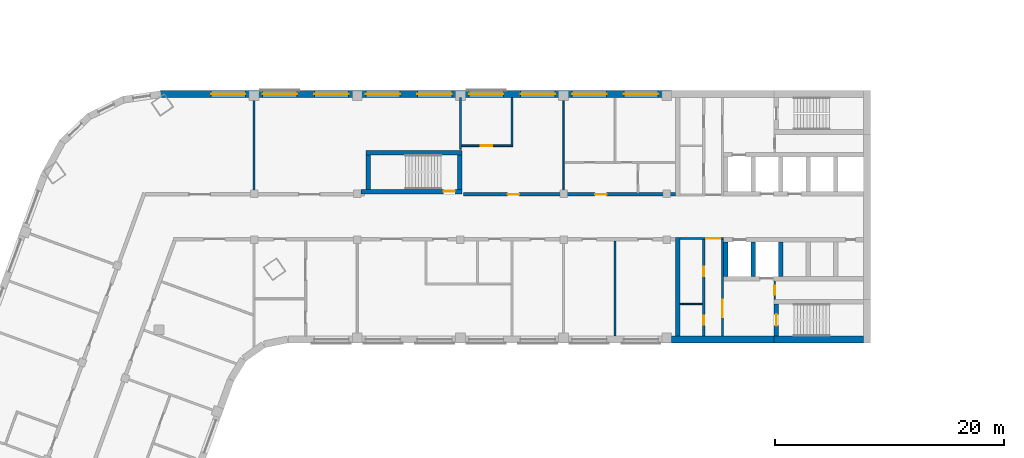
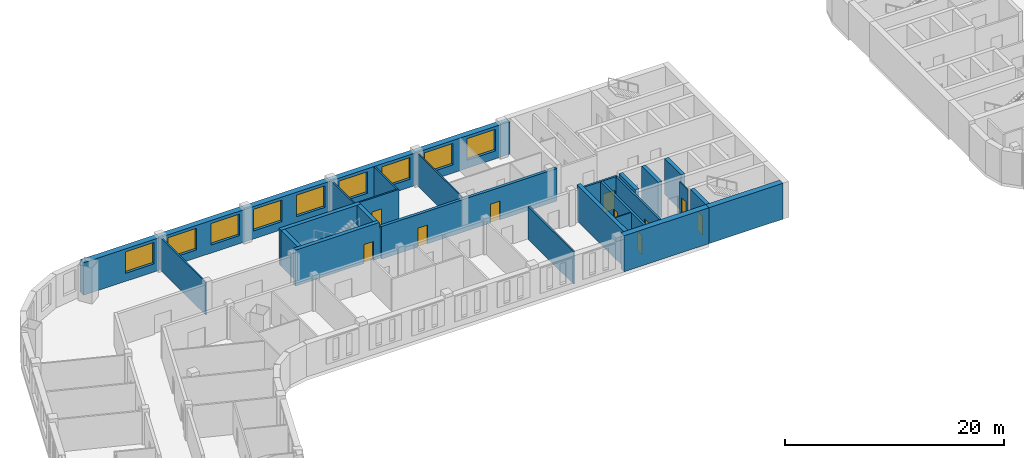
# One storey, part 5 of 14: 24 walls, 10 doors, 9 windows, 19 openings.
"""IFC4 building model written with IfcOpenShell, lengths in metres."""

from ifc_helpers import new_model, si_unit, direction, frame, frame_2d, origin, place, context, subcontext, project, spatial, rectangle, extrude, material, layer, layer_set, type_object, element, fill, save


model = new_model("IFC4")

# Units and contexts
model_context = context("Model", 3, precision=1e-05, world=origin(), true_north=direction((0.0, 1.0)))
body_context = subcontext(model_context, "Body", "Model", "MODEL_VIEW")
ifc_project = project(units=[si_unit("LENGTHUNIT", "METRE"), si_unit("AREAUNIT", "SQUARE_METRE"), si_unit("VOLUMEUNIT", "CUBIC_METRE"), si_unit("PLANEANGLEUNIT", "RADIAN"), si_unit("MASSUNIT", "GRAM", prefix="KILO")], contexts=[model_context])

# Site, building, storey
site_placement = place(None, origin())
site = spatial("IfcSite", under=ifc_project, at=site_placement, CompositionType="ELEMENT")
building_placement = place(site_placement, origin())
building = spatial("IfcBuilding", under=site, at=building_placement, Name="Skarvind Civic Tower", CompositionType="ELEMENT")
storey_placement = place(building_placement, frame((0.0, 0.0, 89.0)))
storey = spatial("IfcBuildingStorey", under=building, at=storey_placement, Name="L20", CompositionType="ELEMENT", Elevation=89.0)

# Wall
ifc_material_1 = material(Name="Acoustic gypsum board on steel studs", Category="steel")
ifc_layer_1 = layer(ifc_material_1, 0.175048828125)
ifc_layer_set_1 = layer_set([ifc_layer_1], Name="ACOUSTIC MEETING-ROOM PARTITION 175")
wall_type_1 = type_object("IfcWallType", Name="ACOUSTIC MEETING-ROOM PARTITION 175", PredefinedType="PARTITIONING", material=ifc_layer_set_1)
wall_1_placement = place(storey_placement, frame((85.75, 117.60009765625, 0.0), z_axis=(0.0, 0.0, 1.0), x_axis=(0.0, 1.0, 0.0)))
element("IfcWall", 1, at=wall_1_placement, inside=storey, type_object=wall_type_1, Name="Partition 20.035", PredefinedType="PARTITIONING", context=body_context, shape_type="SweptSolid", body=[
    extrude(rectangle(XDim=8.2998046875, YDim=0.175048828125, at=frame_2d((4.14990234375, 0.0))), origin(), (0.0, 0.0, 1.0), 3.625),
])

# Wall, openings, doors
ifc_material_2 = material(Name="Fire-rated gypsum board on steel studs", Category="steel")
ifc_layer_2 = layer(ifc_material_2, 0.300048828125)
ifc_layer_set_2 = layer_set([ifc_layer_2], Name="CORRIDOR WALL 300")
wall_type_2 = type_object("IfcWallType", Name="CORRIDOR WALL 300", PredefinedType="PARTITIONING", material=ifc_layer_set_2)
wall_2_placement = place(storey_placement, frame((72.5, 129.949951171875, 0.0), z_axis=(0.0, 0.0, 1.0), x_axis=(1.0, 0.0, 0.0)))
wall_2 = element("IfcWall", 2, at=wall_2_placement, inside=storey, type_object=wall_type_2, Name="Partition 20.026", PredefinedType="PARTITIONING", context=body_context, shape_type="SweptSolid", body=[
    extrude(rectangle(XDim=18.5, YDim=0.300048828125, at=frame_2d((9.25, 0.0))), origin(), (0.0, 0.0, 1.0), 3.625),
])
opening_1_placement = place(wall_2_placement, frame((11.5, 0.0, 0.0)))
opening_1 = element("IfcOpeningElement", 3, at=opening_1_placement, cuts=wall_2, Name="Opening L20-D001", PredefinedType="OPENING", context=body_context, shape_type="SweptSolid", body=[
    extrude(rectangle(XDim=1.0, YDim=2.10009765625, at=frame_2d((0.5, 1.050048828125))), frame((0.0, 0.159912109375, 0.0), z_axis=(0.0, -1.0, 0.0), x_axis=(1.0, 0.0, 0.0)), (0.0, 0.0, 1.0), 0.320068359375),
])
opening_2_placement = place(wall_2_placement, frame((3.875, 0.0, 0.0)))
opening_2 = element("IfcOpeningElement", 4, at=opening_2_placement, cuts=wall_2, Name="Opening L20-D006", PredefinedType="OPENING", context=body_context, shape_type="SweptSolid", body=[
    extrude(rectangle(XDim=1.0, YDim=2.10009765625, at=frame_2d((0.5, 1.050048828125))), frame((0.0, 0.159912109375, 0.0), z_axis=(0.0, -1.0, 0.0), x_axis=(1.0, 0.0, 0.0)), (0.0, 0.0, 1.0), 0.320068359375),
])
ifc_material_3 = material(Name="Fire-rated timber door leaf", Category="wood")
door_type_1 = type_object("IfcDoorType", Name="FD1 1000x2100", OperationType="NOTDEFINED", PredefinedType="DOOR", material=ifc_material_3)
door_1_placement = place(opening_1_placement, origin())
door_1 = element("IfcDoor", 5, at=door_1_placement, inside=storey, type_object=door_type_1, Name="Door L20-D001", OperationType="SINGLE_SWING_LEFT", OverallHeight=2.10009765625, OverallWidth=1.0, PredefinedType="DOOR", context=body_context, shape_type="SweptSolid", body=[
    extrude(rectangle(XDim=1.0, YDim=2.10009765625, at=frame_2d((0.5, 1.050048828125))), frame((0.0, 0.02490234375, 0.0), z_axis=(0.0, -1.0, 0.0), x_axis=(1.0, 0.0, 0.0)), (0.0, 0.0, 1.0), 0.050048828125),
])
fill(opening_1, door_1)
door_2_placement = place(opening_2_placement, origin())
door_2 = element("IfcDoor", 6, at=door_2_placement, inside=storey, type_object=door_type_1, Name="Door L20-D006", OperationType="SINGLE_SWING_LEFT", OverallHeight=2.10009765625, OverallWidth=1.0, PredefinedType="DOOR", context=body_context, shape_type="SweptSolid", body=[
    extrude(rectangle(XDim=1.0, YDim=2.10009765625, at=frame_2d((0.5, 1.050048828125))), frame((0.0, 0.02490234375, 0.0), z_axis=(0.0, -1.0, 0.0), x_axis=(1.0, 0.0, 0.0)), (0.0, 0.0, 1.0), 0.050048828125),
])
fill(opening_2, door_2)

# Wall, opening, door
ifc_material_4 = material(Name="Fire-rated masonry partition", Category="masonry")
ifc_layer_3 = layer(ifc_material_4, 0.199951171875)
ifc_layer_set_3 = layer_set([ifc_layer_3], Name="Core enclosure wall 200")
wall_type_3 = type_object("IfcWallType", Name="Core enclosure wall 200", PredefinedType="PARTITIONING", material=ifc_layer_set_3)
wall_3_placement = place(storey_placement, frame((95.199951171875, 126.10009765625, 0.0), z_axis=(0.0, 0.0, 1.0), x_axis=(-1.0, 0.0, 0.0)))
wall_3 = element("IfcWall", 7, at=wall_3_placement, inside=storey, type_object=wall_type_3, Name="Core wall C1", PredefinedType="PARTITIONING", context=body_context, shape_type="SweptSolid", body=[
    extrude(rectangle(XDim=3.800048828125, YDim=0.199951171875, at=frame_2d((1.89990234375, 0.0))), origin(), (0.0, 0.0, 1.0), 3.625),
])
opening_3_placement = place(wall_3_placement, frame((0.300048828125, 0.0, 0.0)))
opening_3 = element("IfcOpeningElement", 8, at=opening_3_placement, cuts=wall_3, Name="Opening D-L20-C1-05", PredefinedType="OPENING", context=body_context, shape_type="SweptSolid", body=[
    extrude(rectangle(XDim=1.199951171875, YDim=2.10009765625, at=frame_2d((0.60009765625, 1.050048828125))), frame((0.0, 0.10986328125, 0.0), z_axis=(0.0, -1.0, 0.0), x_axis=(1.0, 0.0, 0.0)), (0.0, 0.0, 1.0), 0.219970703125),
])
ifc_material_5 = material(Name="Fire-rated steel door", Category="steel")
door_type_2 = type_object("IfcDoorType", Name="Core lobby door 1200", OperationType="NOTDEFINED", PredefinedType="DOOR", material=ifc_material_5)
door_3_placement = place(opening_3_placement, origin())
door_3 = element("IfcDoor", 9, at=door_3_placement, inside=storey, type_object=door_type_2, Name="Fire door", OperationType="DOUBLE_DOOR_SINGLE_SWING", OverallHeight=2.10009765625, OverallWidth=1.199951171875, PredefinedType="DOOR", context=body_context, shape_type="SweptSolid", body=[
    extrude(rectangle(XDim=1.199951171875, YDim=2.10009765625, at=frame_2d((0.60009765625, 1.050048828125))), frame((0.0, 0.02490234375, 0.0), z_axis=(0.0, -1.0, 0.0), x_axis=(1.0, 0.0, 0.0)), (0.0, 0.0, 1.0), 0.050048828125),
])
fill(opening_3, door_3)

wall_4_placement = place(storey_placement, frame((95.10009765625, 117.60009765625, 0.0), z_axis=(0.0, 0.0, 1.0), x_axis=(0.0, 1.0, 0.0)))
wall_4 = element("IfcWall", 10, at=wall_4_placement, inside=storey, type_object=wall_type_3, Name="Core wall C1", PredefinedType="PARTITIONING", context=body_context, shape_type="SweptSolid", body=[
    extrude(rectangle(XDim=8.39990234375, YDim=0.199951171875, at=frame_2d((4.199951171875, 0.0))), origin(), (0.0, 0.0, 1.0), 3.625),
])
opening_4_placement = place(wall_4_placement, frame((1.64990234375, 0.0, 0.0)))
opening_4 = element("IfcOpeningElement", 11, at=opening_4_placement, cuts=wall_4, Name="Opening D-L20-C1-06", PredefinedType="OPENING", context=body_context, shape_type="SweptSolid", body=[
    extrude(rectangle(XDim=1.5, YDim=2.10009765625, at=frame_2d((0.75, 1.050048828125))), frame((0.0, 0.10986328125, 0.0), z_axis=(0.0, -1.0, 0.0), x_axis=(1.0, 0.0, 0.0)), (0.0, 0.0, 1.0), 0.219970703125),
])
door_type_3 = type_object("IfcDoorType", Name="Fire door 1500", OperationType="NOTDEFINED", PredefinedType="DOOR", material=ifc_material_5)
door_4_placement = place(opening_4_placement, origin())
door_4 = element("IfcDoor", 12, at=door_4_placement, inside=storey, type_object=door_type_3, Name="Fire door", OperationType="DOUBLE_DOOR_SINGLE_SWING", OverallHeight=2.10009765625, OverallWidth=1.5, PredefinedType="DOOR", context=body_context, shape_type="SweptSolid", body=[
    extrude(rectangle(XDim=1.5, YDim=2.10009765625, at=frame_2d((0.75, 1.050048828125))), frame((0.0, 0.02490234375, 0.0), z_axis=(0.0, -1.0, 0.0), x_axis=(1.0, 0.0, 0.0)), (0.0, 0.0, 1.0), 0.050048828125),
])
fill(opening_4, door_4)

# Wall
ifc_material_6 = material(Name="Fire-rated plasterboard partition")
ifc_layer_4 = layer(ifc_material_6, 0.10009765625)
ifc_layer_set_4 = layer_set([ifc_layer_4], Name="Core partition wall 100")
wall_type_4 = type_object("IfcWallType", Name="Core partition wall 100", PredefinedType="PARTITIONING", material=ifc_layer_set_4)
wall_5_placement = place(storey_placement, frame((93.35009765625, 120.39990234375, 0.0), z_axis=(0.0, 0.0, 1.0), x_axis=(-1.0, 0.0, 0.0)))
element("IfcWall", 13, at=wall_5_placement, inside=storey, type_object=wall_type_4, Name="Core wall C1", PredefinedType="PARTITIONING", context=body_context, shape_type="SweptSolid", body=[
    extrude(rectangle(XDim=1.9501953125, YDim=0.10009765625, at=frame_2d((0.97509765625, 0.0))), origin(), (0.0, 0.0, 1.0), 3.625),
])

# Wall, opening, door
ifc_material_7 = material(Name="Concrete C80", Category="concrete")
ifc_layer_5 = layer(ifc_material_7, 0.39990234375)
ifc_layer_set_5 = layer_set([ifc_layer_5], Name="Core wall 400 C80")
wall_type_5 = type_object("IfcWallType", Name="Core wall 400 C80", PredefinedType="SHEAR", material=ifc_layer_set_5)
wall_6_placement = place(storey_placement, frame((99.800048828125, 120.39990234375, 0.0), z_axis=(0.0, 0.0, 1.0), x_axis=(0.0, -1.0, 0.0)))
wall_6 = element("IfcWall", 14, at=wall_6_placement, inside=storey, type_object=wall_type_5, Name="Core wall C1 north stair end L20", PredefinedType="SHEAR", context=body_context, shape_type="SweptSolid", body=[
    extrude(rectangle(XDim=2.7998046875, YDim=0.39990234375, at=frame_2d((1.39990234375, 0.0))), origin(), (0.0, 0.0, 1.0), 4.0),
])
opening_5_placement = place(wall_6_placement, frame((0.89990234375, 0.0, 0.0)))
opening_5 = element("IfcOpeningElement", 15, at=opening_5_placement, cuts=wall_6, Name="Opening D-L20-C1-07", PredefinedType="OPENING", context=body_context, shape_type="SweptSolid", body=[
    extrude(rectangle(XDim=1.0, YDim=2.10009765625, at=frame_2d((0.5, 1.050048828125))), frame((0.0, 0.2099609375, 0.0), z_axis=(0.0, -1.0, 0.0), x_axis=(1.0, 0.0, 0.0)), (0.0, 0.0, 1.0), 0.419921875),
])
door_type_4 = type_object("IfcDoorType", Name="Fire door 1000", OperationType="NOTDEFINED", PredefinedType="DOOR", material=ifc_material_5)
door_5_placement = place(opening_5_placement, origin())
door_5 = element("IfcDoor", 16, at=door_5_placement, inside=storey, type_object=door_type_4, Name="Fire door", OperationType="SINGLE_SWING_LEFT", OverallHeight=2.10009765625, OverallWidth=1.0, PredefinedType="DOOR", context=body_context, shape_type="SweptSolid", body=[
    extrude(rectangle(XDim=1.0, YDim=2.10009765625, at=frame_2d((0.5, 1.050048828125))), frame((0.0, 0.02490234375, 0.0), z_axis=(0.0, -1.0, 0.0), x_axis=(1.0, 0.0, 0.0)), (0.0, 0.0, 1.0), 0.050048828125),
])
fill(opening_5, door_5)

# Walls
for number, where, z_axis, x_axis, name in (
    (17, (100.199951171875, 125.800048828125, 0.0), (0.0, 0.0, 1.0), (0.0, -1.0, 0.0), "Core wall C1 north lift row division 3 L20"),
    (18, (97.800048828125, 125.800048828125, 0.0), (0.0, 0.0, 1.0), (0.0, -1.0, 0.0), "Core wall C1 north lift row division 4 L20"),
    (19, (95.39990234375, 125.800048828125, 0.0), (0.0, 0.0, 1.0), (0.0, -1.0, 0.0), "Core wall C1 north lift row division 5 L20"),
):
    element("IfcWall", number, at=place(storey_placement, frame(where, z_axis=z_axis, x_axis=x_axis)), inside=storey, type_object=wall_type_5, Name=name, PredefinedType="SHEAR", context=body_context, shape_type="SweptSolid", body=[
        extrude(rectangle(XDim=3.0, YDim=0.39990234375, at=frame_2d((1.5, 0.0))), origin(), (0.0, 0.0, 1.0), 4.0),
    ])
wall_7_placement = place(storey_placement, frame((91.199951171875, 126.199951171875, 0.0), z_axis=(0.0, 0.0, 1.0), x_axis=(0.0, -1.0, 0.0)))
element("IfcWall", 20, at=wall_7_placement, inside=storey, type_object=wall_type_5, Name="Core wall C1 north inner face L20", PredefinedType="SHEAR", context=body_context, shape_type="SweptSolid", body=[
    extrude(rectangle(XDim=8.599853515625, YDim=0.39990234375, at=frame_2d((4.2998046875, 0.0))), origin(), (0.0, 0.0, 1.0), 4.0),
])

# Wall, opening, door
wall_8_placement = place(storey_placement, frame((63.574951171875, 130.199951171875, 0.0), z_axis=(0.0, 0.0, 1.0), x_axis=(1.0, 0.0, 0.0)))
wall_8 = element("IfcWall", 21, at=wall_8_placement, inside=storey, type_object=wall_type_5, Name="Core wall CM inner L20", PredefinedType="SHEAR", context=body_context, shape_type="SweptSolid", body=[
    extrude(rectangle(XDim=8.824951171875, YDim=0.39990234375, at=frame_2d((4.41259765625, 0.0))), origin(), (0.0, 0.0, 1.0), 4.0),
])
opening_6_placement = place(wall_8_placement, frame((7.199951171875, 0.0, 0.0)))
opening_6 = element("IfcOpeningElement", 22, at=opening_6_placement, cuts=wall_8, Name="Opening D-L20-CM-01", PredefinedType="OPENING", context=body_context, shape_type="SweptSolid", body=[
    extrude(rectangle(XDim=1.0, YDim=2.10009765625, at=frame_2d((0.5, 1.050048828125))), frame((0.0, 0.2099609375, 0.0), z_axis=(0.0, -1.0, 0.0), x_axis=(1.0, 0.0, 0.0)), (0.0, 0.0, 1.0), 0.419921875),
])
door_6_placement = place(opening_6_placement, origin())
door_6 = element("IfcDoor", 23, at=door_6_placement, inside=storey, type_object=door_type_4, Name="Fire door", OperationType="SINGLE_SWING_LEFT", OverallHeight=2.10009765625, OverallWidth=1.0, PredefinedType="DOOR", context=body_context, shape_type="SweptSolid", body=[
    extrude(rectangle(XDim=1.0, YDim=2.10009765625, at=frame_2d((0.5, 1.050048828125))), frame((0.0, 0.02490234375, 0.0), z_axis=(0.0, -1.0, 0.0), x_axis=(1.0, 0.0, 0.0)), (0.0, 0.0, 1.0), 0.050048828125),
])
fill(opening_6, door_6)

# Walls
wall_9_placement = place(storey_placement, frame((64.0, 133.60009765625, 0.0), z_axis=(0.0, 0.0, 1.0), x_axis=(1.0, 0.0, 0.0)))
element("IfcWall", 24, at=wall_9_placement, inside=storey, type_object=wall_type_5, Name="Core wall CM outer L20", PredefinedType="SHEAR", context=body_context, shape_type="SweptSolid", body=[
    extrude(rectangle(XDim=8.39990234375, YDim=0.39990234375, at=frame_2d((4.199951171875, 0.0))), origin(), (0.0, 0.0, 1.0), 4.0),
])
for number, where, z_axis, x_axis, name in (
    (25, (64.199951171875, 130.39990234375, 0.0), (0.0, 0.0, 1.0), (0.0, 1.0, 0.0), "Core wall CM west L20"),
    (26, (72.199951171875, 130.39990234375, 0.0), (0.0, 0.0, 1.0), (0.0, 1.0, 0.0), "Core wall CM end L20"),
):
    element("IfcWall", number, at=place(storey_placement, frame(where, z_axis=z_axis, x_axis=x_axis)), inside=storey, type_object=wall_type_5, Name=name, PredefinedType="SHEAR", context=body_context, shape_type="SweptSolid", body=[
        extrude(rectangle(XDim=3.0, YDim=0.39990234375, at=frame_2d((1.5, 0.0))), origin(), (0.0, 0.0, 1.0), 4.0),
    ])
ifc_layer_6 = layer(ifc_material_7, 0.60009765625)
ifc_layer_set_6 = layer_set([ifc_layer_6], Name="Core wall 600 C80")
wall_type_6 = type_object("IfcWallType", Name="Core wall 600 C80", PredefinedType="SHEAR", material=ifc_layer_set_6)
wall_10_placement = place(storey_placement, frame((107.39990234375, 117.300048828125, 0.0), z_axis=(0.0, 0.0, 1.0), x_axis=(-1.0, 0.0, 0.0)))
element("IfcWall", 27, at=wall_10_placement, inside=storey, type_object=wall_type_6, Name="Core wall C1 north side at the stair L20", PredefinedType="SHEAR", context=body_context, shape_type="SweptSolid", body=[
    extrude(rectangle(XDim=7.7998046875, YDim=0.60009765625, at=frame_2d((3.89990234375, 0.0))), origin(), (0.0, 0.0, 1.0), 4.0),
])
wall_11_placement = place(storey_placement, frame((99.60009765625, 117.300048828125, 0.0), z_axis=(0.0, 0.0, 1.0), x_axis=(-1.0, 0.0, 0.0)))
element("IfcWall", 28, at=wall_11_placement, inside=storey, type_object=wall_type_6, Name="Core wall C1 north side L20", PredefinedType="SHEAR", context=body_context, shape_type="SweptSolid", body=[
    extrude(rectangle(XDim=8.925048828125, YDim=0.60009765625, at=frame_2d((4.46240234375, 0.0))), origin(), (0.0, 0.0, 1.0), 4.0),
])
ifc_material_8 = material(Name="Plasterboard partition on steel studs", Category="steel")
ifc_layer_7 = layer(ifc_material_8, 0.14990234375)
ifc_layer_set_7 = layer_set([ifc_layer_7], Name="PARTITION 150")
wall_type_7 = type_object("IfcWallType", Name="PARTITION 150", PredefinedType="PARTITIONING", material=ifc_layer_set_7)
wall_12_placement = place(storey_placement, frame((54.25, 138.39990234375, 0.0), z_axis=(0.0, 0.0, 1.0), x_axis=(0.0, -1.0, 0.0)))
element("IfcWall", 29, at=wall_12_placement, inside=storey, type_object=wall_type_7, Name="Partition 20.020", PredefinedType="PARTITIONING", context=body_context, shape_type="SweptSolid", body=[
    extrude(rectangle(XDim=8.2998046875, YDim=0.14990234375, at=frame_2d((4.14990234375, 0.0))), origin(), (0.0, 0.0, 1.0), 3.625),
])
wall_13_placement = place(storey_placement, frame((72.25, 133.89990234375, 0.0), z_axis=(0.0, 0.0, 1.0), x_axis=(0.0, 1.0, 0.0)))
element("IfcWall", 30, at=wall_13_placement, inside=storey, type_object=wall_type_7, Name="Partition 20.024", PredefinedType="PARTITIONING", context=body_context, shape_type="SweptSolid", body=[
    extrude(rectangle(XDim=4.5, YDim=0.14990234375, at=frame_2d((2.25, 0.0))), origin(), (0.0, 0.0, 1.0), 3.625),
])

# Wall, opening, door
wall_14_placement = place(storey_placement, frame((76.824951171875, 134.199951171875, 0.0), z_axis=(0.0, 0.0, 1.0), x_axis=(-1.0, 0.0, 0.0)))
wall_14 = element("IfcWall", 31, at=wall_14_placement, inside=storey, type_object=wall_type_7, Name="Partition 20.025", PredefinedType="PARTITIONING", context=body_context, shape_type="SweptSolid", body=[
    extrude(rectangle(XDim=4.5, YDim=0.14990234375, at=frame_2d((2.25, 0.0))), origin(), (0.0, 0.0, 1.0), 3.625),
])
opening_7_placement = place(wall_14_placement, frame((1.797607421875, 0.0, 0.0)))
opening_7 = element("IfcOpeningElement", 32, at=opening_7_placement, cuts=wall_14, Name="Opening L20-D005", PredefinedType="OPENING", context=body_context, shape_type="SweptSolid", body=[
    extrude(rectangle(XDim=1.0, YDim=2.10009765625, at=frame_2d((0.5, 1.050048828125))), frame((0.0, 0.0849609375, 0.0), z_axis=(0.0, -1.0, 0.0), x_axis=(1.0, 0.0, 0.0)), (0.0, 0.0, 1.0), 0.169921875),
])
ifc_material_9 = material(Name="Timber door leaf", Category="wood")
door_type_5 = type_object("IfcDoorType", Name="D1 1000x2100", OperationType="NOTDEFINED", PredefinedType="DOOR", material=ifc_material_9)
door_7_placement = place(opening_7_placement, origin())
door_7 = element("IfcDoor", 33, at=door_7_placement, inside=storey, type_object=door_type_5, Name="Door L20-D005", OperationType="SINGLE_SWING_LEFT", OverallHeight=2.10009765625, OverallWidth=1.0, PredefinedType="DOOR", context=body_context, shape_type="SweptSolid", body=[
    extrude(rectangle(XDim=1.0, YDim=2.10009765625, at=frame_2d((0.5, 1.050048828125))), frame((0.0, 0.02490234375, 0.0), z_axis=(0.0, -1.0, 0.0), x_axis=(1.0, 0.0, 0.0)), (0.0, 0.0, 1.0), 0.050048828125),
])
fill(opening_7, door_7)

# Wall
wall_15_placement = place(storey_placement, frame((76.75, 134.27490234375, 0.0), z_axis=(0.0, 0.0, 1.0), x_axis=(0.0, 1.0, 0.0)))
element("IfcWall", 34, at=wall_15_placement, inside=storey, type_object=wall_type_7, Name="Partition 20.031", PredefinedType="PARTITIONING", context=body_context, shape_type="SweptSolid", body=[
    extrude(rectangle(XDim=4.125, YDim=0.14990234375, at=frame_2d((2.0625, 0.0))), origin(), (0.0, 0.0, 1.0), 3.625),
])

# Wall, opening, door
ifc_layer_8 = layer(ifc_material_4, 0.125)
ifc_layer_set_8 = layer_set([ifc_layer_8], Name="Riser wall 125")
wall_type_8 = type_object("IfcWallType", Name="Riser wall 125", PredefinedType="PARTITIONING", material=ifc_layer_set_8)
wall_16_placement = place(storey_placement, frame((99.66259765625, 120.800048828125, 0.0), z_axis=(0.0, 0.0, 1.0), x_axis=(0.0, 1.0, 0.0)))
wall_16 = element("IfcWall", 35, at=wall_16_placement, inside=storey, type_object=wall_type_8, Name="Core wall C1", PredefinedType="PARTITIONING", context=body_context, shape_type="SweptSolid", body=[
    extrude(rectangle(XDim=1.599853515625, YDim=0.125, at=frame_2d((0.7998046875, 0.0))), origin(), (0.0, 0.0, 1.0), 3.625),
])
opening_8_placement = place(wall_16_placement, frame((0.39990234375, 0.0, 0.0)))
opening_8 = element("IfcOpeningElement", 36, at=opening_8_placement, cuts=wall_16, Name="Opening D-L20-C1-08", PredefinedType="OPENING", context=body_context, shape_type="SweptSolid", body=[
    extrude(rectangle(XDim=0.800048828125, YDim=2.10009765625, at=frame_2d((0.39990234375, 1.050048828125))), frame((0.0, 0.072509765625, 0.0), z_axis=(0.0, -1.0, 0.0), x_axis=(1.0, 0.0, 0.0)), (0.0, 0.0, 1.0), 0.14501953125),
])
door_type_6 = type_object("IfcDoorType", Name="Core riser door 800", OperationType="NOTDEFINED", PredefinedType="DOOR", material=ifc_material_5)
door_8_placement = place(opening_8_placement, origin())
door_8 = element("IfcDoor", 37, at=door_8_placement, inside=storey, type_object=door_type_6, Name="Riser door", OperationType="SINGLE_SWING_RIGHT", OverallHeight=2.10009765625, OverallWidth=0.800048828125, PredefinedType="DOOR", context=body_context, shape_type="SweptSolid", body=[
    extrude(rectangle(XDim=0.800048828125, YDim=2.10009765625, at=frame_2d((0.39990234375, 1.050048828125))), frame((0.0, 0.02490234375, 0.0), z_axis=(0.0, -1.0, 0.0), x_axis=(1.0, 0.0, 0.0)), (0.0, 0.0, 1.0), 0.050048828125),
])
fill(opening_8, door_8)

# Wall, openings, doors
ifc_layer_9 = layer(ifc_material_4, 0.25)
ifc_layer_set_9 = layer_set([ifc_layer_9], Name="Service block wall 250")
wall_type_9 = type_object("IfcWallType", Name="Service block wall 250", PredefinedType="PARTITIONING", material=ifc_layer_set_9)
wall_17_placement = place(storey_placement, frame((93.47509765625, 117.60009765625, 0.0), z_axis=(0.0, 0.0, 1.0), x_axis=(0.0, 1.0, 0.0)))
wall_17 = element("IfcWall", 38, at=wall_17_placement, inside=storey, type_object=wall_type_9, Name="Core wall C1", PredefinedType="PARTITIONING", context=body_context, shape_type="SweptSolid", body=[
    extrude(rectangle(XDim=8.39990234375, YDim=0.25, at=frame_2d((4.199951171875, 0.0))), origin(), (0.0, 0.0, 1.0), 3.625),
])
opening_9_placement = place(wall_17_placement, frame((5.22509765625, 0.0, 0.0)))
opening_9 = element("IfcOpeningElement", 39, at=opening_9_placement, cuts=wall_17, Name="Opening D-L20-C1-09", PredefinedType="OPENING", context=body_context, shape_type="SweptSolid", body=[
    extrude(rectangle(XDim=0.800048828125, YDim=2.10009765625, at=frame_2d((0.39990234375, 1.050048828125))), frame((0.0, 0.135009765625, 0.0), z_axis=(0.0, -1.0, 0.0), x_axis=(1.0, 0.0, 0.0)), (0.0, 0.0, 1.0), 0.27001953125),
])
opening_10_placement = place(wall_17_placement, frame((0.97509765625, 0.0, 0.0)))
opening_10 = element("IfcOpeningElement", 40, at=opening_10_placement, cuts=wall_17, Name="Opening D-L20-C1-10", PredefinedType="OPENING", context=body_context, shape_type="SweptSolid", body=[
    extrude(rectangle(XDim=0.800048828125, YDim=2.10009765625, at=frame_2d((0.39990234375, 1.050048828125))), frame((0.0, 0.135009765625, 0.0), z_axis=(0.0, -1.0, 0.0), x_axis=(1.0, 0.0, 0.0)), (0.0, 0.0, 1.0), 0.27001953125),
])
door_9_placement = place(opening_9_placement, origin())
door_9 = element("IfcDoor", 41, at=door_9_placement, inside=storey, type_object=door_type_6, Name="Riser door", OperationType="SINGLE_SWING_LEFT", OverallHeight=2.10009765625, OverallWidth=0.800048828125, PredefinedType="DOOR", context=body_context, shape_type="SweptSolid", body=[
    extrude(rectangle(XDim=0.800048828125, YDim=2.10009765625, at=frame_2d((0.39990234375, 1.050048828125))), frame((0.0, 0.02490234375, 0.0), z_axis=(0.0, -1.0, 0.0), x_axis=(1.0, 0.0, 0.0)), (0.0, 0.0, 1.0), 0.050048828125),
])
fill(opening_9, door_9)
door_10_placement = place(opening_10_placement, origin())
door_10 = element("IfcDoor", 42, at=door_10_placement, inside=storey, type_object=door_type_6, Name="Riser door", OperationType="SINGLE_SWING_RIGHT", OverallHeight=2.10009765625, OverallWidth=0.800048828125, PredefinedType="DOOR", context=body_context, shape_type="SweptSolid", body=[
    extrude(rectangle(XDim=0.800048828125, YDim=2.10009765625, at=frame_2d((0.39990234375, 1.050048828125))), frame((0.0, 0.02490234375, 0.0), z_axis=(0.0, -1.0, 0.0), x_axis=(1.0, 0.0, 0.0)), (0.0, 0.0, 1.0), 0.050048828125),
])
fill(opening_10, door_10)

# Wall
ifc_material_10 = material(Name="Moisture-resistant gypsum board on steel studs", Category="steel")
ifc_layer_10 = layer(ifc_material_10, 0.125)
ifc_layer_set_10 = layer_set([ifc_layer_10], Name="WC PARTITION 125")
wall_type_10 = type_object("IfcWallType", Name="WC PARTITION 125", PredefinedType="PARTITIONING", material=ifc_layer_set_10)
wall_18_placement = place(storey_placement, frame((81.25, 130.10009765625, 0.0), z_axis=(0.0, 0.0, 1.0), x_axis=(0.0, 1.0, 0.0)))
element("IfcWall", 43, at=wall_18_placement, inside=storey, type_object=wall_type_10, Name="Partition 20.033", PredefinedType="PARTITIONING", context=body_context, shape_type="SweptSolid", body=[
    extrude(rectangle(XDim=8.2998046875, YDim=0.125, at=frame_2d((4.14990234375, 0.0))), origin(), (0.0, 0.0, 1.0), 3.625),
])

# Wall, openings, windows
ifc_material_11 = material(Name="Limestone masonry cladding on insulated backing", Category="masonry")
ifc_layer_11 = layer(ifc_material_11, 0.60009765625)
ifc_layer_set_11 = layer_set([ifc_layer_11], Name="WX1 STONE FACADE WALL 600")
wall_type_11 = type_object("IfcWallType", Name="WX1 STONE FACADE WALL 600", PredefinedType="SOLIDWALL", material=ifc_layer_set_11)
wall_19_placement = place(storey_placement, frame((46.095458984375, 138.699951171875, 0.0), z_axis=(0.0, 0.0, 1.0), x_axis=(1.0, 0.0, 0.0)))
wall_19 = element("IfcWall", 44, at=wall_19_placement, inside=storey, type_object=wall_type_11, Name="STONE FACADE WALL", PredefinedType="SOLIDWALL", context=body_context, shape_type="SweptSolid", body=[
    extrude(rectangle(XDim=44.884521484375, YDim=0.60009765625, at=frame_2d((22.4423828125, 0.0))), origin(), (0.0, 0.0, 1.0), 3.625),
])
opening_11_placement = place(wall_19_placement, frame((4.404541015625, 0.0, 0.89990234375)))
opening_11 = element("IfcOpeningElement", 45, at=opening_11_placement, cuts=wall_19, Name="Opening WN1", PredefinedType="OPENING", context=body_context, shape_type="SweptSolid", body=[
    extrude(rectangle(XDim=3.0, YDim=2.39990234375, at=frame_2d((1.5, 1.199951171875))), frame((0.0, 0.31005859375, 0.0), z_axis=(0.0, -1.0, 0.0), x_axis=(1.0, 0.0, 0.0)), (0.0, 0.0, 1.0), 0.6201171875),
])
opening_12_placement = place(wall_19_placement, frame((8.904541015625, 0.0, 0.89990234375)))
opening_12 = element("IfcOpeningElement", 46, at=opening_12_placement, cuts=wall_19, Name="Opening WN1", PredefinedType="OPENING", context=body_context, shape_type="SweptSolid", body=[
    extrude(rectangle(XDim=3.0, YDim=2.39990234375, at=frame_2d((1.5, 1.199951171875))), frame((0.0, 0.31005859375, 0.0), z_axis=(0.0, -1.0, 0.0), x_axis=(1.0, 0.0, 0.0)), (0.0, 0.0, 1.0), 0.6201171875),
])
opening_13_placement = place(wall_19_placement, frame((13.404541015625, 0.0, 0.89990234375)))
opening_13 = element("IfcOpeningElement", 47, at=opening_13_placement, cuts=wall_19, Name="Opening WN1", PredefinedType="OPENING", context=body_context, shape_type="SweptSolid", body=[
    extrude(rectangle(XDim=3.0, YDim=2.39990234375, at=frame_2d((1.5, 1.199951171875))), frame((0.0, 0.31005859375, 0.0), z_axis=(0.0, -1.0, 0.0), x_axis=(1.0, 0.0, 0.0)), (0.0, 0.0, 1.0), 0.6201171875),
])
opening_14_placement = place(wall_19_placement, frame((17.904541015625, 0.0, 0.89990234375)))
opening_14 = element("IfcOpeningElement", 48, at=opening_14_placement, cuts=wall_19, Name="Opening WN1", PredefinedType="OPENING", context=body_context, shape_type="SweptSolid", body=[
    extrude(rectangle(XDim=3.0, YDim=2.39990234375, at=frame_2d((1.5, 1.199951171875))), frame((0.0, 0.31005859375, 0.0), z_axis=(0.0, -1.0, 0.0), x_axis=(1.0, 0.0, 0.0)), (0.0, 0.0, 1.0), 0.6201171875),
])
opening_15_placement = place(wall_19_placement, frame((22.404541015625, 0.0, 0.89990234375)))
opening_15 = element("IfcOpeningElement", 49, at=opening_15_placement, cuts=wall_19, Name="Opening WN1", PredefinedType="OPENING", context=body_context, shape_type="SweptSolid", body=[
    extrude(rectangle(XDim=3.0, YDim=2.39990234375, at=frame_2d((1.5, 1.199951171875))), frame((0.0, 0.31005859375, 0.0), z_axis=(0.0, -1.0, 0.0), x_axis=(1.0, 0.0, 0.0)), (0.0, 0.0, 1.0), 0.6201171875),
])
opening_16_placement = place(wall_19_placement, frame((26.904541015625, 0.0, 0.89990234375)))
opening_16 = element("IfcOpeningElement", 50, at=opening_16_placement, cuts=wall_19, Name="Opening WN1", PredefinedType="OPENING", context=body_context, shape_type="SweptSolid", body=[
    extrude(rectangle(XDim=3.0, YDim=2.39990234375, at=frame_2d((1.5, 1.199951171875))), frame((0.0, 0.31005859375, 0.0), z_axis=(0.0, -1.0, 0.0), x_axis=(1.0, 0.0, 0.0)), (0.0, 0.0, 1.0), 0.6201171875),
])
opening_17_placement = place(wall_19_placement, frame((31.404541015625, 0.0, 0.89990234375)))
opening_17 = element("IfcOpeningElement", 51, at=opening_17_placement, cuts=wall_19, Name="Opening WN1", PredefinedType="OPENING", context=body_context, shape_type="SweptSolid", body=[
    extrude(rectangle(XDim=3.0, YDim=2.39990234375, at=frame_2d((1.5, 1.199951171875))), frame((0.0, 0.31005859375, 0.0), z_axis=(0.0, -1.0, 0.0), x_axis=(1.0, 0.0, 0.0)), (0.0, 0.0, 1.0), 0.6201171875),
])
opening_18_placement = place(wall_19_placement, frame((35.904541015625, 0.0, 0.89990234375)))
opening_18 = element("IfcOpeningElement", 52, at=opening_18_placement, cuts=wall_19, Name="Opening WN1", PredefinedType="OPENING", context=body_context, shape_type="SweptSolid", body=[
    extrude(rectangle(XDim=3.0, YDim=2.39990234375, at=frame_2d((1.5, 1.199951171875))), frame((0.0, 0.31005859375, 0.0), z_axis=(0.0, -1.0, 0.0), x_axis=(1.0, 0.0, 0.0)), (0.0, 0.0, 1.0), 0.6201171875),
])
opening_19_placement = place(wall_19_placement, frame((40.404541015625, 0.0, 0.89990234375)))
opening_19 = element("IfcOpeningElement", 53, at=opening_19_placement, cuts=wall_19, Name="Opening WN1", PredefinedType="OPENING", context=body_context, shape_type="SweptSolid", body=[
    extrude(rectangle(XDim=3.0, YDim=2.39990234375, at=frame_2d((1.5, 1.199951171875))), frame((0.0, 0.31005859375, 0.0), z_axis=(0.0, -1.0, 0.0), x_axis=(1.0, 0.0, 0.0)), (0.0, 0.0, 1.0), 0.6201171875),
])
ifc_material_12 = material(Name="Timber frame, double glazing, timber-lined reveal", Category="wood")
window_type = type_object("IfcWindowType", Name="WN1 PUNCHED STONE WINDOW 3000 x 2400", PartitioningType="SINGLE_PANEL", PredefinedType="WINDOW", material=ifc_material_12)
window_1_placement = place(opening_11_placement, origin())
window_1 = element("IfcWindow", 54, at=window_1_placement, inside=storey, type_object=window_type, Name="WN1 WINDOW", OverallHeight=2.39990234375, OverallWidth=3.0, PartitioningType="SINGLE_PANEL", PredefinedType="WINDOW", context=body_context, shape_type="SweptSolid", body=[
    extrude(rectangle(XDim=3.0, YDim=2.39990234375, at=frame_2d((1.5, 1.199951171875))), frame((0.0, 0.030029296875, 0.0), z_axis=(0.0, -1.0, 0.0), x_axis=(1.0, 0.0, 0.0)), (0.0, 0.0, 1.0), 0.06005859375),
])
fill(opening_11, window_1)
window_2_placement = place(opening_12_placement, origin())
window_2 = element("IfcWindow", 55, at=window_2_placement, inside=storey, type_object=window_type, Name="WN1 WINDOW", OverallHeight=2.39990234375, OverallWidth=3.0, PartitioningType="SINGLE_PANEL", PredefinedType="WINDOW", context=body_context, shape_type="SweptSolid", body=[
    extrude(rectangle(XDim=3.0, YDim=2.39990234375, at=frame_2d((1.5, 1.199951171875))), frame((0.0, 0.030029296875, 0.0), z_axis=(0.0, -1.0, 0.0), x_axis=(1.0, 0.0, 0.0)), (0.0, 0.0, 1.0), 0.06005859375),
])
fill(opening_12, window_2)
window_3_placement = place(opening_13_placement, origin())
window_3 = element("IfcWindow", 56, at=window_3_placement, inside=storey, type_object=window_type, Name="WN1 WINDOW", OverallHeight=2.39990234375, OverallWidth=3.0, PartitioningType="SINGLE_PANEL", PredefinedType="WINDOW", context=body_context, shape_type="SweptSolid", body=[
    extrude(rectangle(XDim=3.0, YDim=2.39990234375, at=frame_2d((1.5, 1.199951171875))), frame((0.0, 0.030029296875, 0.0), z_axis=(0.0, -1.0, 0.0), x_axis=(1.0, 0.0, 0.0)), (0.0, 0.0, 1.0), 0.06005859375),
])
fill(opening_13, window_3)
window_4_placement = place(opening_14_placement, origin())
window_4 = element("IfcWindow", 57, at=window_4_placement, inside=storey, type_object=window_type, Name="WN1 WINDOW", OverallHeight=2.39990234375, OverallWidth=3.0, PartitioningType="SINGLE_PANEL", PredefinedType="WINDOW", context=body_context, shape_type="SweptSolid", body=[
    extrude(rectangle(XDim=3.0, YDim=2.39990234375, at=frame_2d((1.5, 1.199951171875))), frame((0.0, 0.030029296875, 0.0), z_axis=(0.0, -1.0, 0.0), x_axis=(1.0, 0.0, 0.0)), (0.0, 0.0, 1.0), 0.06005859375),
])
fill(opening_14, window_4)
window_5_placement = place(opening_15_placement, origin())
window_5 = element("IfcWindow", 58, at=window_5_placement, inside=storey, type_object=window_type, Name="WN1 WINDOW", OverallHeight=2.39990234375, OverallWidth=3.0, PartitioningType="SINGLE_PANEL", PredefinedType="WINDOW", context=body_context, shape_type="SweptSolid", body=[
    extrude(rectangle(XDim=3.0, YDim=2.39990234375, at=frame_2d((1.5, 1.199951171875))), frame((0.0, 0.030029296875, 0.0), z_axis=(0.0, -1.0, 0.0), x_axis=(1.0, 0.0, 0.0)), (0.0, 0.0, 1.0), 0.06005859375),
])
fill(opening_15, window_5)
window_6_placement = place(opening_16_placement, origin())
window_6 = element("IfcWindow", 59, at=window_6_placement, inside=storey, type_object=window_type, Name="WN1 WINDOW", OverallHeight=2.39990234375, OverallWidth=3.0, PartitioningType="SINGLE_PANEL", PredefinedType="WINDOW", context=body_context, shape_type="SweptSolid", body=[
    extrude(rectangle(XDim=3.0, YDim=2.39990234375, at=frame_2d((1.5, 1.199951171875))), frame((0.0, 0.030029296875, 0.0), z_axis=(0.0, -1.0, 0.0), x_axis=(1.0, 0.0, 0.0)), (0.0, 0.0, 1.0), 0.06005859375),
])
fill(opening_16, window_6)
window_7_placement = place(opening_17_placement, origin())
window_7 = element("IfcWindow", 60, at=window_7_placement, inside=storey, type_object=window_type, Name="WN1 WINDOW", OverallHeight=2.39990234375, OverallWidth=3.0, PartitioningType="SINGLE_PANEL", PredefinedType="WINDOW", context=body_context, shape_type="SweptSolid", body=[
    extrude(rectangle(XDim=3.0, YDim=2.39990234375, at=frame_2d((1.5, 1.199951171875))), frame((0.0, 0.030029296875, 0.0), z_axis=(0.0, -1.0, 0.0), x_axis=(1.0, 0.0, 0.0)), (0.0, 0.0, 1.0), 0.06005859375),
])
fill(opening_17, window_7)
window_8_placement = place(opening_18_placement, origin())
window_8 = element("IfcWindow", 61, at=window_8_placement, inside=storey, type_object=window_type, Name="WN1 WINDOW", OverallHeight=2.39990234375, OverallWidth=3.0, PartitioningType="SINGLE_PANEL", PredefinedType="WINDOW", context=body_context, shape_type="SweptSolid", body=[
    extrude(rectangle(XDim=3.0, YDim=2.39990234375, at=frame_2d((1.5, 1.199951171875))), frame((0.0, 0.030029296875, 0.0), z_axis=(0.0, -1.0, 0.0), x_axis=(1.0, 0.0, 0.0)), (0.0, 0.0, 1.0), 0.06005859375),
])
fill(opening_18, window_8)
window_9_placement = place(opening_19_placement, origin())
window_9 = element("IfcWindow", 62, at=window_9_placement, inside=storey, type_object=window_type, Name="WN1 WINDOW", OverallHeight=2.39990234375, OverallWidth=3.0, PartitioningType="SINGLE_PANEL", PredefinedType="WINDOW", context=body_context, shape_type="SweptSolid", body=[
    extrude(rectangle(XDim=3.0, YDim=2.39990234375, at=frame_2d((1.5, 1.199951171875))), frame((0.0, 0.030029296875, 0.0), z_axis=(0.0, -1.0, 0.0), x_axis=(1.0, 0.0, 0.0)), (0.0, 0.0, 1.0), 0.06005859375),
])
fill(opening_19, window_9)

save(model, "model.ifc")
